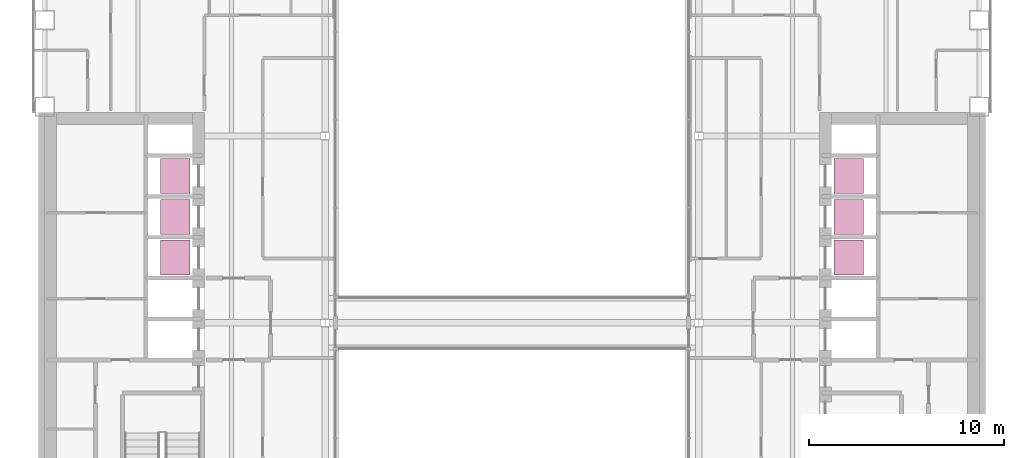
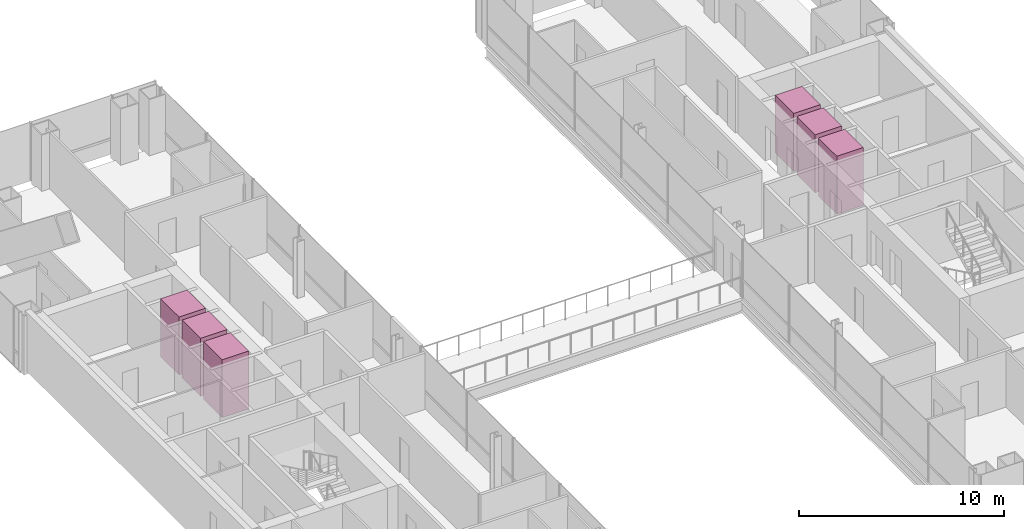
# One storey, part 19 of 19: 6 transport elements.
"""IFC4 building model written with IfcOpenShell, lengths in metres."""

from ifc_helpers import new_model, si_unit, direction, frame, origin, origin_2d, place, context, subcontext, project, spatial, rectangle, extrude, material, type_object, element, save


model = new_model("IFC4")

# Units and contexts
model_context = context("Model", 3, precision=1e-05, world=origin(), true_north=direction((0.0, 1.0)))
body_context = subcontext(model_context, "Body", "Model", "MODEL_VIEW")
ifc_project = project(units=[si_unit("LENGTHUNIT", "METRE"), si_unit("AREAUNIT", "SQUARE_METRE"), si_unit("VOLUMEUNIT", "CUBIC_METRE"), si_unit("PLANEANGLEUNIT", "RADIAN"), si_unit("MASSUNIT", "GRAM", prefix="KILO")], contexts=[model_context])

# Site, building, storey
site_placement = place(None, origin())
site = spatial("IfcSite", under=ifc_project, at=site_placement, CompositionType="ELEMENT")
building_placement = place(site_placement, origin())
building = spatial("IfcBuilding", under=site, at=building_placement, Name="Cobrizo Arcos Hotel Tower", CompositionType="ELEMENT")
storey_placement = place(building_placement, frame((0.0, 0.0, 70.5)))
storey = spatial("IfcBuildingStorey", under=building, at=storey_placement, Name="L16", CompositionType="ELEMENT", Elevation=70.5)

# Transport elements
ifc_material = material(Name="Stainless steel car", Category="steel")
transport_element_type = type_object("IfcTransportElementType", Name="Lift car Low 1.8x1.5", PredefinedType="ELEVATOR", material=ifc_material)
for number, where, z_axis, x_axis, name in (
    (1, (-17.300048828125, 3.35009765625, 0.0), (0.0, 0.0, 1.0), (1.0, 0.0, 0.0), "Low-rise passenger lift W1"),
    (2, (-17.300048828125, 5.449951171875, 0.0), (0.0, 0.0, 1.0), (1.0, 0.0, 0.0), "Low-rise passenger lift W2"),
    (3, (-17.300048828125, 7.550048828125, 0.0), (0.0, 0.0, 1.0), (1.0, 0.0, 0.0), "Low-rise passenger lift W3"),
    (4, (17.300048828125, 3.35009765625, 0.0), (0.0, 0.0, 1.0), (1.0, 0.0, 0.0), "Low-rise passenger lift E1"),
    (5, (17.300048828125, 5.449951171875, 0.0), (0.0, 0.0, 1.0), (1.0, 0.0, 0.0), "Low-rise passenger lift E2"),
    (6, (17.300048828125, 7.550048828125, 0.0), (0.0, 0.0, 1.0), (1.0, 0.0, 0.0), "Low-rise passenger lift E3"),
):
    element("IfcTransportElement", number, at=place(storey_placement, frame(where, z_axis=z_axis, x_axis=x_axis)), inside=storey, type_object=transport_element_type, Name=name, PredefinedType="ELEVATOR", context=body_context, shape_type="SweptSolid", body=[
        extrude(rectangle(XDim=1.5, YDim=1.800048828125, at=origin_2d()), origin(), (0.0, 0.0, 1.0), 3.449951171875),
    ])

save(model, "model.ifc")
